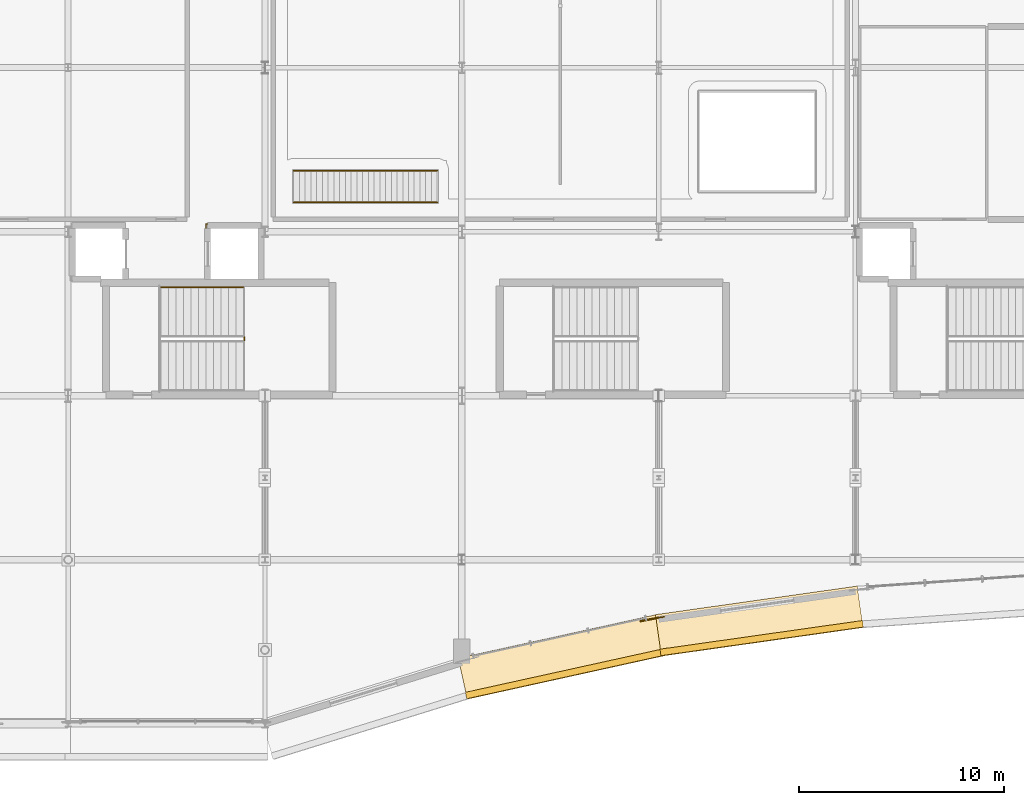
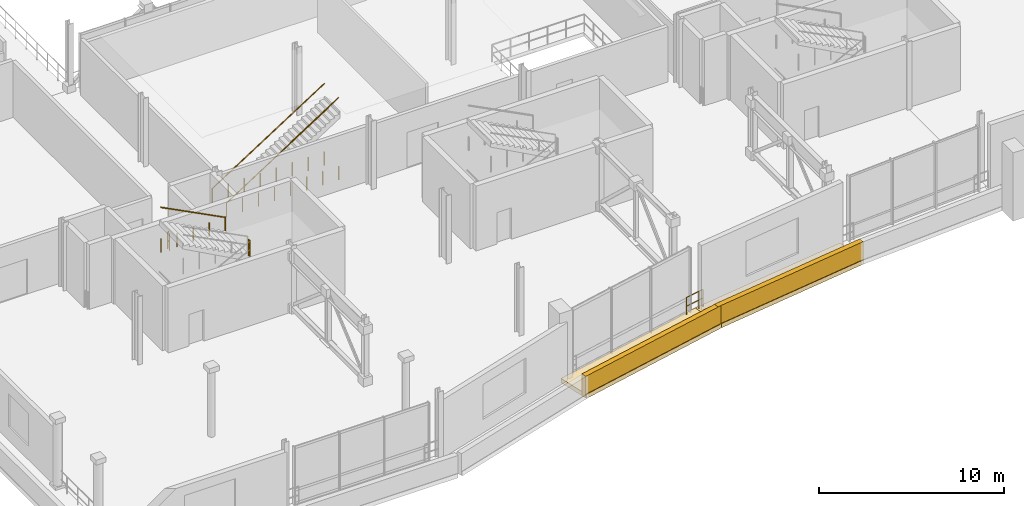
# One storey, part 174 of 193: 6 railings, 4 coverings.
"""IFC4 building model written with IfcOpenShell, lengths in metres."""

from ifc_helpers import new_model, si_unit, direction, frame, origin, origin_2d, place, context, subcontext, project, spatial, rectangle, circle, extrude, material, layer, layer_set, type_object, element, save


model = new_model("IFC4")

# Units and contexts
model_context = context("Model", 3, precision=1e-05, world=origin(), true_north=direction((0.0, 1.0)))
body_context = subcontext(model_context, "Body", "Model", "MODEL_VIEW")
ifc_project = project(units=[si_unit("LENGTHUNIT", "METRE"), si_unit("AREAUNIT", "SQUARE_METRE"), si_unit("VOLUMEUNIT", "CUBIC_METRE"), si_unit("PLANEANGLEUNIT", "RADIAN"), si_unit("MASSUNIT", "GRAM", prefix="KILO")], contexts=[model_context])

# Site, building, storey
site_placement = place(None, origin())
site = spatial("IfcSite", under=ifc_project, at=site_placement, CompositionType="ELEMENT")
building_placement = place(site_placement, origin())
building = spatial("IfcBuilding", under=site, at=building_placement, Name="Danafjord Basin Convention Centre", CompositionType="ELEMENT")
storey_placement = place(building_placement, frame((0.0, 0.0, 11.39990234375)))
storey = spatial("IfcBuildingStorey", under=building, at=storey_placement, Name="L02", CompositionType="ELEMENT", Elevation=11.39990234375)

# Coverings
ifc_material_1 = material(Name="Architectural white precast concrete C45/55", Category="concrete")
ifc_layer = layer(ifc_material_1, 0.320068359375)
ifc_layer_set = layer_set([ifc_layer], Name="Architectural white precast concrete C45/55")
covering_type = type_object("IfcCoveringType", Name="COV-BAND-HORIZ", PredefinedType="CLADDING", material=ifc_layer_set)
covering_1_placement = place(storey_placement, frame((33.7666015625, 3.279541015625, -0.27978515625), z_axis=(0.0, 0.0, 1.0), x_axis=(0.976623114167, 0.214958816695, 0.0)))
element("IfcCovering", 1, at=covering_1_placement, inside=storey, type_object=covering_type, Name="L02 stepped horizontal band soffit plate 16", PredefinedType="CLADDING", context=body_context, shape_type="SweptSolid", body=[
    extrude(rectangle(XDim=10.070068359375, YDim=2.050048828125, at=origin_2d()), origin(), (0.0, 0.0, 1.0), 0.280029296875),
])
covering_2_placement = place(storey_placement, frame((33.946044921875, 2.464111328125, -0.23974609375), z_axis=(0.0, 0.0, 1.0), x_axis=(0.976623114167, 0.214958816695, 0.0)))
element("IfcCovering", 2, at=covering_2_placement, inside=storey, type_object=covering_type, Name="L02 layered horizontal white spandrel band 16", PredefinedType="CLADDING", context=body_context, shape_type="SweptSolid", body=[
    extrude(rectangle(XDim=10.110107421875, YDim=0.320068359375, at=origin_2d()), origin(), (0.0, 0.0, 1.0), 1.419921875),
])
covering_3_placement = place(storey_placement, frame((43.30859375, 5.005126953125, -0.27978515625), z_axis=(0.0, 0.0, 1.0), x_axis=(0.990128157327, 0.140165017276, 0.0)))
element("IfcCovering", 3, at=covering_3_placement, inside=storey, type_object=covering_type, Name="L02 stepped horizontal band soffit plate 17", PredefinedType="CLADDING", context=body_context, shape_type="SweptSolid", body=[
    extrude(rectangle(XDim=9.93603515625, YDim=2.050048828125, at=origin_2d()), origin(), (0.0, 0.0, 1.0), 0.280029296875),
])
covering_4_placement = place(storey_placement, frame((43.42578125, 4.178466796875, -0.23974609375), z_axis=(0.0, 0.0, 1.0), x_axis=(0.990128157327, 0.140165017276, 0.0)))
element("IfcCovering", 4, at=covering_4_placement, inside=storey, type_object=covering_type, Name="L02 layered horizontal white spandrel band 17", PredefinedType="CLADDING", context=body_context, shape_type="SweptSolid", body=[
    extrude(rectangle(XDim=9.97607421875, YDim=0.320068359375, at=origin_2d()), origin(), (0.0, 0.0, 1.0), 1.419921875),
])

# Railings
ifc_material_2 = material(Name="Laminated structural glass and stainless steel", Category="steel")
railing_type_1 = type_object("IfcRailingType", Name="RL-BAL-GLS", PredefinedType="BALUSTRADE", material=ifc_material_2)
railing_1_placement = place(storey_placement, frame((38.6650390625, 5.218994140625, 0.0)))
element("IfcRailing", 5, at=railing_1_placement, inside=storey, type_object=railing_type_1, Name="L02 safety guard balustrade 181", PredefinedType="BALUSTRADE", context=body_context, shape_type="SweptSolid", body=[
    extrude(circle(Radius=0.02392578125, at=origin_2d()), frame((0.0, 0.0, 1.1259765625), z_axis=(-0.986183249195, -0.165658078605, 0.0), x_axis=(0.165658078605, -0.986183249195, 0.0)), (0.0, 0.0, 1.0), 0.282958984375),
    extrude(circle(Radius=0.02392578125, at=origin_2d()), frame((0.0, 0.0, 0.55078125), z_axis=(-0.986183249195, -0.165658078605, 0.0), x_axis=(0.165658078605, -0.986183249195, 0.0)), (0.0, 0.0, 1.0), 0.282958984375),
    extrude(circle(Radius=0.02392578125, at=origin_2d()), frame((-0.279052734375, -0.046875, 1.1259765625), z_axis=(-0.98259888753, -0.185740211651, 0.0), x_axis=(0.185740211651, -0.98259888753, 0.0)), (0.0, 0.0, 1.0), 0.88330078125),
    extrude(circle(Radius=0.02392578125, at=origin_2d()), frame((-0.279052734375, -0.046875, 0.55078125), z_axis=(-0.98259888753, -0.185740211651, 0.0), x_axis=(0.185740211651, -0.98259888753, 0.0)), (0.0, 0.0, 1.0), 0.88330078125),
    extrude(circle(Radius=0.02099609375, at=origin_2d()), origin(), (0.0, 0.0, 1.0), 1.099853515625),
    extrude(circle(Radius=0.02099609375, at=origin_2d()), frame((-0.279052734375, -0.046875, 0.0)), (0.0, 0.0, 1.0), 1.099853515625),
    extrude(circle(Radius=0.02099609375, at=origin_2d()), frame((-1.14697265625, -0.2109375, 0.0)), (0.0, 0.0, 1.0), 1.099853515625),
])
railing_2_placement = place(storey_placement, frame((16.39990234375, 24.3798828125, 0.0)))
element("IfcRailing", 6, at=railing_2_placement, inside=storey, type_object=railing_type_1, Name="L02 safety guard balustrade 212", PredefinedType="BALUSTRADE", context=body_context, shape_type="SweptSolid", body=[
    extrude(circle(Radius=0.02392578125, at=origin_2d()), frame((0.0, 0.0, 1.1259765625), z_axis=(-1.0, 0.0, 0.0), x_axis=(0.0, -1.0, 0.0)), (0.0, 0.0, 1.0), 0.079833984375),
    extrude(circle(Radius=0.02392578125, at=origin_2d()), frame((0.0, 0.0, 0.55078125), z_axis=(-1.0, 0.0, 0.0), x_axis=(0.0, -1.0, 0.0)), (0.0, 0.0, 1.0), 0.079833984375),
    extrude(circle(Radius=0.02392578125, at=origin_2d()), frame((-0.079833984375, 0.0, 1.1259765625), z_axis=(0.0, -1.0, 0.0), x_axis=(1.0, 0.0, 0.0)), (0.0, 0.0, 1.0), 0.21484375),
    extrude(circle(Radius=0.02392578125, at=origin_2d()), frame((-0.079833984375, 0.0, 0.55078125), z_axis=(0.0, -1.0, 0.0), x_axis=(1.0, 0.0, 0.0)), (0.0, 0.0, 1.0), 0.21484375),
    extrude(circle(Radius=0.02099609375, at=origin_2d()), origin(), (0.0, 0.0, 1.0), 1.099853515625),
    extrude(circle(Radius=0.02099609375, at=origin_2d()), frame((-0.079833984375, 0.0, 0.0)), (0.0, 0.0, 1.0), 1.099853515625),
    extrude(circle(Radius=0.02099609375, at=origin_2d()), frame((-0.079833984375, -0.21484375, 0.0)), (0.0, 0.0, 1.0), 1.099853515625),
])
ifc_material_3 = material(Name="Galvanised steel S355", Category="steel")
railing_type_2 = type_object("IfcRailingType", Name="RL-GD-WELL", PredefinedType="BALUSTRADE", material=ifc_material_3)
railing_3_placement = place(storey_placement, frame((18.195068359375, 18.7099609375, 2.25)))
element("IfcRailing", 7, at=railing_3_placement, inside=storey, type_object=railing_type_2, Name="L02 ST-01 stair guard 2", PredefinedType="BALUSTRADE", context=body_context, shape_type="SweptSolid", body=[
    extrude(circle(Radius=0.02392578125, at=origin_2d()), frame((0.0, 0.0, 1.076171875), z_axis=(0.0, 1.0, 0.0), x_axis=(-1.0, 0.0, 0.0)), (0.0, 0.0, 1.0), 0.14013671875),
    extrude(circle(Radius=0.02392578125, at=origin_2d()), frame((0.0, 0.0, 0.52587890625), z_axis=(0.0, 1.0, 0.0), x_axis=(-1.0, 0.0, 0.0)), (0.0, 0.0, 1.0), 0.14013671875),
    extrude(circle(Radius=0.02099609375, at=origin_2d()), origin(), (0.0, 0.0, 1.0), 1.050048828125),
    extrude(circle(Radius=0.02099609375, at=origin_2d()), frame((0.0, 0.14013671875, 0.0)), (0.0, 0.0, 1.0), 1.050048828125),
])
ifc_material_4 = material(Name="Brushed stainless steel EN 1.4404", Category="steel")
railing_type_3 = type_object("IfcRailingType", Name="RL-HR-STAIR", PredefinedType="HANDRAIL", material=ifc_material_4)
railing_4_placement = place(storey_placement, frame((18.14501953125, 21.300048828125, 2.4375)))
element("IfcRailing", 8, at=railing_4_placement, inside=storey, type_object=railing_type_3, Name="L02 ST-01 stair handrail 2", PredefinedType="HANDRAIL", context=body_context, shape_type="SweptSolid", body=[
    extrude(circle(Radius=0.02392578125, at=origin_2d()), frame((0.0, 0.0, 0.8759765625), z_axis=(-0.889506420944, 0.0, 0.45692267081), x_axis=(0.0, -1.0, 0.0)), (0.0, 0.0, 1.0), 4.513916015625),
    extrude(circle(Radius=0.02099609375, at=origin_2d()), origin(), (0.0, 0.0, 1.0), 0.849853515625),
    extrude(circle(Radius=0.02099609375, at=origin_2d()), frame((-1.00390625, 0.0, 0.0)), (0.0, 0.0, 1.0), 0.849853515625),
    extrude(circle(Radius=0.02099609375, at=origin_2d()), frame((-2.007568359375, 0.0, 0.0)), (0.0, 0.0, 1.0), 0.849853515625),
    extrude(circle(Radius=0.02099609375, at=origin_2d()), frame((-3.01123046875, 0.0, 0.0)), (0.0, 0.0, 1.0), 0.849853515625),
    extrude(circle(Radius=0.02099609375, at=origin_2d()), frame((-4.01513671875, 0.0, 0.0)), (0.0, 0.0, 1.0), 0.849853515625),
])
for number, where, name in (
    (9, (20.60009765625, 26.97509765625, 0.0), "West Concourse Terrace Stair handrail L"),
    (10, (20.60009765625, 25.425048828125, 0.0), "West Concourse Terrace Stair handrail R"),
):
    element("IfcRailing", number, at=place(storey_placement, frame(where)), inside=storey, type_object=railing_type_3, Name=name, PredefinedType="HANDRAIL", context=body_context, shape_type="SweptSolid", body=[
        extrude(circle(Radius=0.02392578125, at=origin_2d()), frame((0.0, 0.0, 0.89599609375), z_axis=(0.841178475377, 0.0, 0.540757591313), x_axis=(0.0, 1.0, 0.0)), (0.0, 0.0, 1.0), 8.32177734375),
        extrude(circle(Radius=0.02099609375, at=origin_2d()), origin(), (0.0, 0.0, 1.0), 0.869873046875),
        extrude(circle(Radius=0.02099609375, at=origin_2d()), frame((1.0, 0.0, 0.0)), (0.0, 0.0, 1.0), 0.869873046875),
        extrude(circle(Radius=0.02099609375, at=origin_2d()), frame((2.0, 0.0, 0.0)), (0.0, 0.0, 1.0), 0.869873046875),
        extrude(circle(Radius=0.02099609375, at=origin_2d()), frame((3.0, 0.0, 0.0)), (0.0, 0.0, 1.0), 0.869873046875),
        extrude(circle(Radius=0.02099609375, at=origin_2d()), frame((4.0, 0.0, 0.0)), (0.0, 0.0, 1.0), 0.869873046875),
        extrude(circle(Radius=0.02099609375, at=origin_2d()), frame((5.0, 0.0, 0.0)), (0.0, 0.0, 1.0), 0.869873046875),
        extrude(circle(Radius=0.02099609375, at=origin_2d()), frame((6.0, 0.0, 0.0)), (0.0, 0.0, 1.0), 0.869873046875),
        extrude(circle(Radius=0.02099609375, at=origin_2d()), frame((7.0, 0.0, 0.0)), (0.0, 0.0, 1.0), 0.869873046875),
    ])

save(model, "model.ifc")
